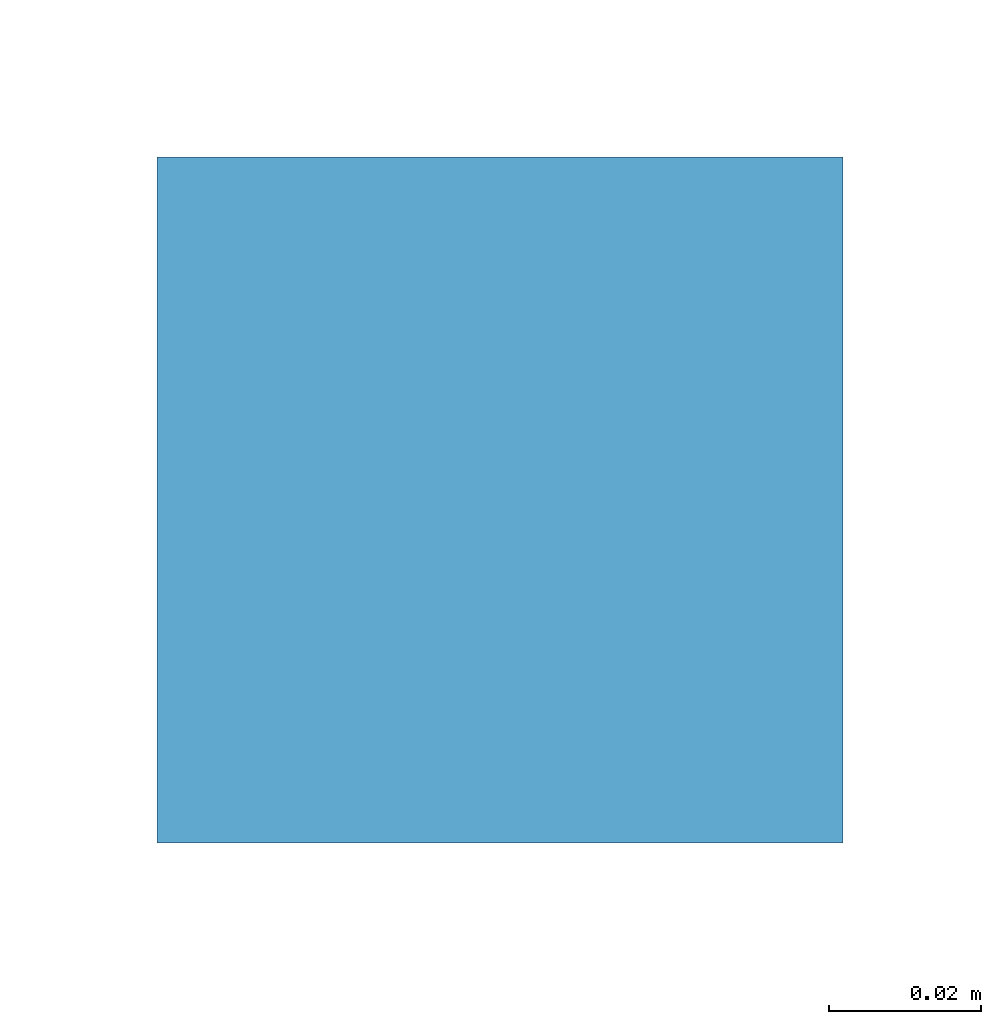
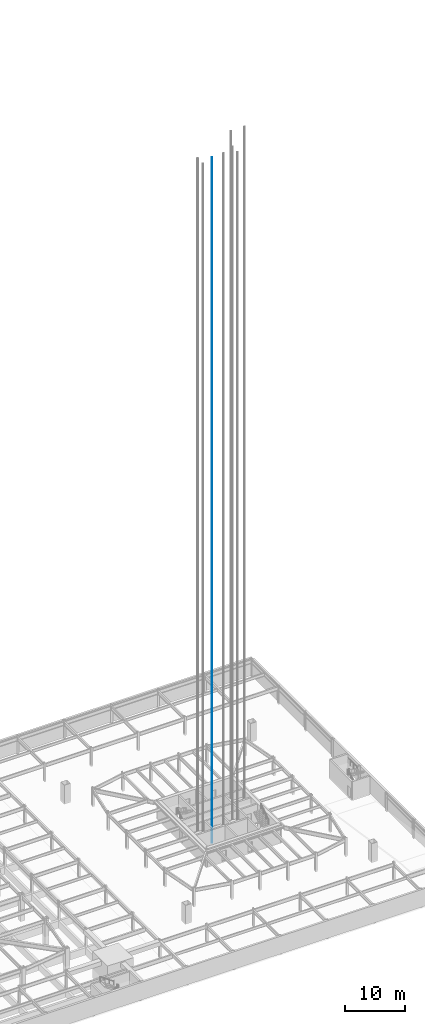
# One storey, part 27 of 35: 1 discrete accessory.
"""IFC4 building model written with IfcOpenShell, lengths in metres."""

from ifc_helpers import new_model, si_unit, direction, frame, origin, origin_2d, place, context, subcontext, project, spatial, rectangle, extrude, material, element, save


model = new_model("IFC4")

# Units and contexts
model_context = context("Model", 3, precision=1e-05, world=origin(), true_north=direction((0.0, 1.0)))
body_context = subcontext(model_context, "Body", "Model", "MODEL_VIEW")
ifc_project = project(units=[si_unit("LENGTHUNIT", "METRE"), si_unit("AREAUNIT", "SQUARE_METRE"), si_unit("VOLUMEUNIT", "CUBIC_METRE"), si_unit("PLANEANGLEUNIT", "RADIAN"), si_unit("MASSUNIT", "GRAM", prefix="KILO")], contexts=[model_context])

# Site, building, storey
site_placement = place(None, origin())
site = spatial("IfcSite", under=ifc_project, at=site_placement, CompositionType="ELEMENT")
building_placement = place(site_placement, origin())
building = spatial("IfcBuilding", under=site, at=building_placement, Name="Iwan Alto Co-Living Towers", CompositionType="ELEMENT")
storey_placement = place(building_placement, frame((0.0, 0.0, -7.199951171875)))
storey = spatial("IfcBuildingStorey", under=building, at=storey_placement, Name="B2", CompositionType="ELEMENT", Elevation=-7.199951171875)

# Discrete accessory
ifc_material = material(Name="Steel ASTM A36", Category="steel")
placement = place(storey_placement, frame((61.300048828125, -2.449951171875, 0.0), z_axis=(0.0, 0.0, 1.0), x_axis=(1.0, 0.0, 0.0)))
discrete_accessory_placement = place(placement, origin())
element("IfcDiscreteAccessory", 1, at=discrete_accessory_placement, inside=storey, material=ifc_material, Name="Lift P5-2 guide rail 1", ObjectType="Lift guide rail", PredefinedType="USERDEFINED", context=body_context, shape_type="SweptSolid", body=[
    extrude(rectangle(XDim=0.09, YDim=0.09, at=origin_2d()), frame((-1.10009765625, 0.0, -0.199951171875)), (0.0, 0.0, 1.0), 139.300048828125),
])

save(model, "model.ifc")
